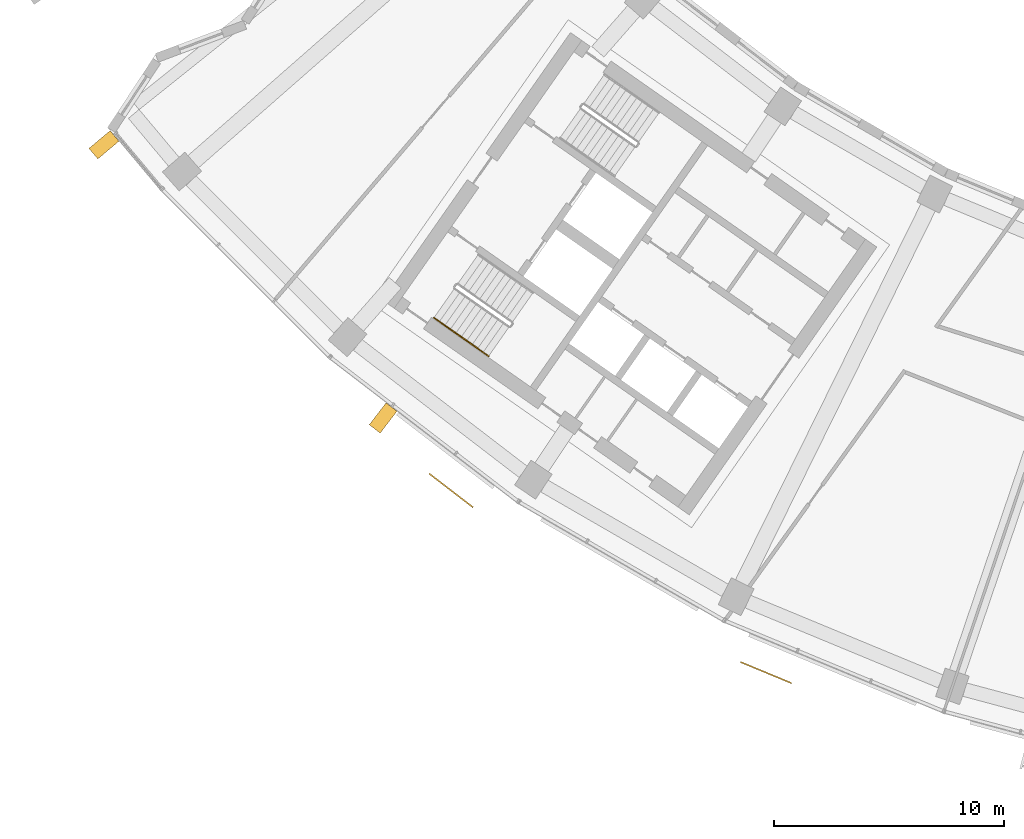
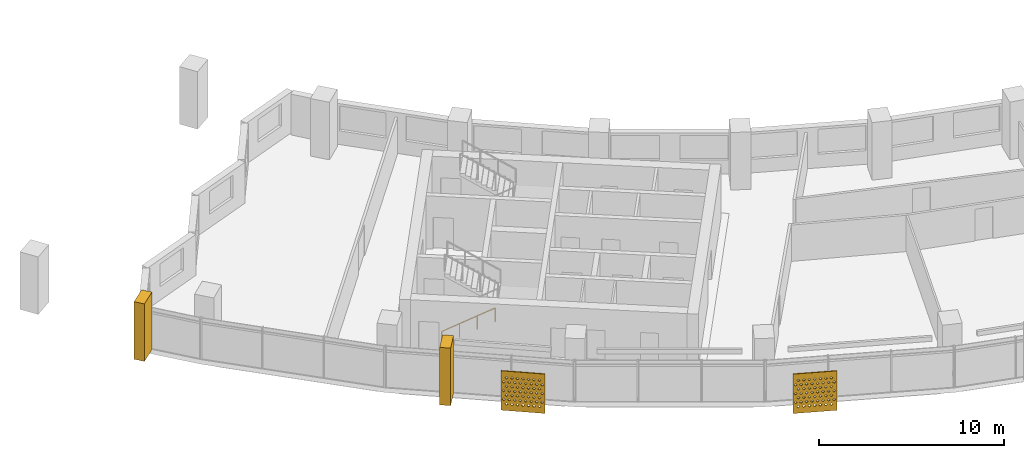
# One storey, part 21 of 27: 4 shading devices, 1 railing.
"""IFC4 building model written with IfcOpenShell, lengths in metres."""

from ifc_helpers import new_model, si_unit, direction, frame, origin, origin_2d, place, context, subcontext, project, spatial, polyline, circle, outline, extrude, material, material_profile, profile_set, type_object, element, save


model = new_model("IFC4")

# Units and contexts
model_context = context("Model", 3, precision=1e-05, world=origin(), true_north=direction((0.0, 1.0)))
body_context = subcontext(model_context, "Body", "Model", "MODEL_VIEW")
ifc_project = project(units=[si_unit("LENGTHUNIT", "METRE"), si_unit("AREAUNIT", "SQUARE_METRE"), si_unit("VOLUMEUNIT", "CUBIC_METRE"), si_unit("PLANEANGLEUNIT", "RADIAN"), si_unit("MASSUNIT", "GRAM", prefix="KILO")], contexts=[model_context])

# Site, building, storey
site_placement = place(None, origin())
site = spatial("IfcSite", under=ifc_project, at=site_placement, CompositionType="ELEMENT")
building_placement = place(site_placement, origin())
building = spatial("IfcBuilding", under=site, at=building_placement, Name="Qamariyya Broadcast Tower", CompositionType="ELEMENT")
storey_placement = place(building_placement, frame((0.0, 0.0, 191.10009765625)))
storey = spatial("IfcBuildingStorey", under=building, at=storey_placement, Name="L45", CompositionType="ELEMENT", Elevation=191.10009765625)

# Shading devices
ifc_material_1 = material(Name="Steel S355 powder coated deep red", Category="steel")
shading_device_type_1 = type_object("IfcShadingDeviceType", Name="Deep red frame, powder coated steel box section", PredefinedType="USERDEFINED", material=ifc_material_1)
shading_device_1_placement = place(storey_placement, origin())
element("IfcShadingDevice", 1, at=shading_device_1_placement, inside=storey, type_object=shading_device_type_1, Name="e-frm-B3-F1-posta-L45", ObjectType="FRAME", PredefinedType="USERDEFINED", context=body_context, shape_type="SweptSolid", body=[
    extrude(outline(polyline([(-61.57958984375, -49.48681640625), (-62.498779296875, -50.25830078125), (-62.11279296875, -50.718017578125), (-61.19384765625, -49.9462890625), (-61.57958984375, -49.48681640625)])), origin(), (0.0, 0.0, 1.0), 3.7998046875),
])
shading_device_2_placement = place(storey_placement, origin())
element("IfcShadingDevice", 2, at=shading_device_2_placement, inside=storey, type_object=shading_device_type_1, Name="e-frm-B3-F1-postb-L45", ObjectType="FRAME", PredefinedType="USERDEFINED", context=body_context, shape_type="SweptSolid", body=[
    extrude(outline(polyline([(-49.593505859375, -61.3095703125), (-50.323974609375, -62.26171875), (-49.84814453125, -62.626953125), (-49.11767578125, -61.6748046875), (-49.593505859375, -61.3095703125)])), origin(), (0.0, 0.0, 1.0), 3.7998046875),
])
ifc_material_2 = material(Name="Perforated glazed terracotta", Category="masonry")
ifc_material_profile = material_profile(ifc_material_2, outline(polyline([(-1.199951171875, -1.300048828125), (1.199951171875, -1.300048828125), (1.199951171875, 1.300048828125), (-1.199951171875, 1.300048828125), (-1.199951171875, -1.300048828125)]), holes=[polyline([(-0.81494140625, -0.86669921875), (-0.89990234375, -0.78173828125), (-0.985107421875, -0.86669921875), (-0.89990234375, -0.95166015625), (-0.81494140625, -0.86669921875)]), polyline([(-0.514892578125, -0.86669921875), (-0.60009765625, -0.78173828125), (-0.68505859375, -0.86669921875), (-0.60009765625, -0.95166015625), (-0.514892578125, -0.86669921875)]), polyline([(-0.215087890625, -0.86669921875), (-0.300048828125, -0.78173828125), (-0.385009765625, -0.86669921875), (-0.300048828125, -0.95166015625), (-0.215087890625, -0.86669921875)]), polyline([(0.0849609375, -0.86669921875), (0.0, -0.78173828125), (-0.0849609375, -0.86669921875), (0.0, -0.95166015625), (0.0849609375, -0.86669921875)]), polyline([(0.385009765625, -0.86669921875), (0.300048828125, -0.78173828125), (0.215087890625, -0.86669921875), (0.300048828125, -0.95166015625), (0.385009765625, -0.86669921875)]), polyline([(0.68505859375, -0.86669921875), (0.60009765625, -0.78173828125), (0.514892578125, -0.86669921875), (0.60009765625, -0.95166015625), (0.68505859375, -0.86669921875)]), polyline([(0.985107421875, -0.86669921875), (0.89990234375, -0.78173828125), (0.81494140625, -0.86669921875), (0.89990234375, -0.95166015625), (0.985107421875, -0.86669921875)]), polyline([(-0.965087890625, -0.577880859375), (-1.050048828125, -0.49267578125), (-1.135009765625, -0.577880859375), (-1.050048828125, -0.662841796875), (-0.965087890625, -0.577880859375)]), polyline([(-0.6650390625, -0.577880859375), (-0.75, -0.49267578125), (-0.8349609375, -0.577880859375), (-0.75, -0.662841796875), (-0.6650390625, -0.577880859375)]), polyline([(-0.364990234375, -0.577880859375), (-0.449951171875, -0.49267578125), (-0.534912109375, -0.577880859375), (-0.449951171875, -0.662841796875), (-0.364990234375, -0.577880859375)]), polyline([(-0.06494140625, -0.577880859375), (-0.14990234375, -0.49267578125), (-0.235107421875, -0.577880859375), (-0.14990234375, -0.662841796875), (-0.06494140625, -0.577880859375)]), polyline([(0.235107421875, -0.577880859375), (0.14990234375, -0.49267578125), (0.06494140625, -0.577880859375), (0.14990234375, -0.662841796875), (0.235107421875, -0.577880859375)]), polyline([(0.534912109375, -0.577880859375), (0.449951171875, -0.49267578125), (0.364990234375, -0.577880859375), (0.449951171875, -0.662841796875), (0.534912109375, -0.577880859375)]), polyline([(0.8349609375, -0.577880859375), (0.75, -0.49267578125), (0.6650390625, -0.577880859375), (0.75, -0.662841796875), (0.8349609375, -0.577880859375)]), polyline([(1.135009765625, -0.577880859375), (1.050048828125, -0.49267578125), (0.965087890625, -0.577880859375), (1.050048828125, -0.662841796875), (1.135009765625, -0.577880859375)]), polyline([(-0.81494140625, -0.288818359375), (-0.89990234375, -0.203857421875), (-0.985107421875, -0.288818359375), (-0.89990234375, -0.373779296875), (-0.81494140625, -0.288818359375)]), polyline([(-0.514892578125, -0.288818359375), (-0.60009765625, -0.203857421875), (-0.68505859375, -0.288818359375), (-0.60009765625, -0.373779296875), (-0.514892578125, -0.288818359375)]), polyline([(-0.215087890625, -0.288818359375), (-0.300048828125, -0.203857421875), (-0.385009765625, -0.288818359375), (-0.300048828125, -0.373779296875), (-0.215087890625, -0.288818359375)]), polyline([(0.0849609375, -0.288818359375), (0.0, -0.203857421875), (-0.0849609375, -0.288818359375), (0.0, -0.373779296875), (0.0849609375, -0.288818359375)]), polyline([(0.385009765625, -0.288818359375), (0.300048828125, -0.203857421875), (0.215087890625, -0.288818359375), (0.300048828125, -0.373779296875), (0.385009765625, -0.288818359375)]), polyline([(0.68505859375, -0.288818359375), (0.60009765625, -0.203857421875), (0.514892578125, -0.288818359375), (0.60009765625, -0.373779296875), (0.68505859375, -0.288818359375)]), polyline([(0.985107421875, -0.288818359375), (0.89990234375, -0.203857421875), (0.81494140625, -0.288818359375), (0.89990234375, -0.373779296875), (0.985107421875, -0.288818359375)]), polyline([(-0.965087890625, 0.0), (-1.050048828125, 0.0849609375), (-1.135009765625, 0.0), (-1.050048828125, -0.0849609375), (-0.965087890625, 0.0)]), polyline([(-0.6650390625, 0.0), (-0.75, 0.0849609375), (-0.8349609375, 0.0), (-0.75, -0.0849609375), (-0.6650390625, 0.0)]), polyline([(-0.364990234375, 0.0), (-0.449951171875, 0.0849609375), (-0.534912109375, 0.0), (-0.449951171875, -0.0849609375), (-0.364990234375, 0.0)]), polyline([(-0.06494140625, 0.0), (-0.14990234375, 0.0849609375), (-0.235107421875, 0.0), (-0.14990234375, -0.0849609375), (-0.06494140625, 0.0)]), polyline([(0.235107421875, 0.0), (0.14990234375, 0.0849609375), (0.06494140625, 0.0), (0.14990234375, -0.0849609375), (0.235107421875, 0.0)]), polyline([(0.534912109375, 0.0), (0.449951171875, 0.0849609375), (0.364990234375, 0.0), (0.449951171875, -0.0849609375), (0.534912109375, 0.0)]), polyline([(0.8349609375, 0.0), (0.75, 0.0849609375), (0.6650390625, 0.0), (0.75, -0.0849609375), (0.8349609375, 0.0)]), polyline([(1.135009765625, 0.0), (1.050048828125, 0.0849609375), (0.965087890625, 0.0), (1.050048828125, -0.0849609375), (1.135009765625, 0.0)]), polyline([(-0.81494140625, 0.288818359375), (-0.89990234375, 0.373779296875), (-0.985107421875, 0.288818359375), (-0.89990234375, 0.203857421875), (-0.81494140625, 0.288818359375)]), polyline([(-0.514892578125, 0.288818359375), (-0.60009765625, 0.373779296875), (-0.68505859375, 0.288818359375), (-0.60009765625, 0.203857421875), (-0.514892578125, 0.288818359375)]), polyline([(-0.215087890625, 0.288818359375), (-0.300048828125, 0.373779296875), (-0.385009765625, 0.288818359375), (-0.300048828125, 0.203857421875), (-0.215087890625, 0.288818359375)]), polyline([(0.0849609375, 0.288818359375), (0.0, 0.373779296875), (-0.0849609375, 0.288818359375), (0.0, 0.203857421875), (0.0849609375, 0.288818359375)]), polyline([(0.385009765625, 0.288818359375), (0.300048828125, 0.373779296875), (0.215087890625, 0.288818359375), (0.300048828125, 0.203857421875), (0.385009765625, 0.288818359375)]), polyline([(0.68505859375, 0.288818359375), (0.60009765625, 0.373779296875), (0.514892578125, 0.288818359375), (0.60009765625, 0.203857421875), (0.68505859375, 0.288818359375)]), polyline([(0.985107421875, 0.288818359375), (0.89990234375, 0.373779296875), (0.81494140625, 0.288818359375), (0.89990234375, 0.203857421875), (0.985107421875, 0.288818359375)]), polyline([(-0.965087890625, 0.577880859375), (-1.050048828125, 0.662841796875), (-1.135009765625, 0.577880859375), (-1.050048828125, 0.49267578125), (-0.965087890625, 0.577880859375)]), polyline([(-0.6650390625, 0.577880859375), (-0.75, 0.662841796875), (-0.8349609375, 0.577880859375), (-0.75, 0.49267578125), (-0.6650390625, 0.577880859375)]), polyline([(-0.364990234375, 0.577880859375), (-0.449951171875, 0.662841796875), (-0.534912109375, 0.577880859375), (-0.449951171875, 0.49267578125), (-0.364990234375, 0.577880859375)]), polyline([(-0.06494140625, 0.577880859375), (-0.14990234375, 0.662841796875), (-0.235107421875, 0.577880859375), (-0.14990234375, 0.49267578125), (-0.06494140625, 0.577880859375)]), polyline([(0.235107421875, 0.577880859375), (0.14990234375, 0.662841796875), (0.06494140625, 0.577880859375), (0.14990234375, 0.49267578125), (0.235107421875, 0.577880859375)]), polyline([(0.534912109375, 0.577880859375), (0.449951171875, 0.662841796875), (0.364990234375, 0.577880859375), (0.449951171875, 0.49267578125), (0.534912109375, 0.577880859375)]), polyline([(0.8349609375, 0.577880859375), (0.75, 0.662841796875), (0.6650390625, 0.577880859375), (0.75, 0.49267578125), (0.8349609375, 0.577880859375)]), polyline([(1.135009765625, 0.577880859375), (1.050048828125, 0.662841796875), (0.965087890625, 0.577880859375), (1.050048828125, 0.49267578125), (1.135009765625, 0.577880859375)]), polyline([(-0.81494140625, 0.86669921875), (-0.89990234375, 0.95166015625), (-0.985107421875, 0.86669921875), (-0.89990234375, 0.78173828125), (-0.81494140625, 0.86669921875)]), polyline([(-0.514892578125, 0.86669921875), (-0.60009765625, 0.95166015625), (-0.68505859375, 0.86669921875), (-0.60009765625, 0.78173828125), (-0.514892578125, 0.86669921875)]), polyline([(-0.215087890625, 0.86669921875), (-0.300048828125, 0.95166015625), (-0.385009765625, 0.86669921875), (-0.300048828125, 0.78173828125), (-0.215087890625, 0.86669921875)]), polyline([(0.0849609375, 0.86669921875), (0.0, 0.95166015625), (-0.0849609375, 0.86669921875), (0.0, 0.78173828125), (0.0849609375, 0.86669921875)]), polyline([(0.385009765625, 0.86669921875), (0.300048828125, 0.95166015625), (0.215087890625, 0.86669921875), (0.300048828125, 0.78173828125), (0.385009765625, 0.86669921875)]), polyline([(0.68505859375, 0.86669921875), (0.60009765625, 0.95166015625), (0.514892578125, 0.86669921875), (0.60009765625, 0.78173828125), (0.68505859375, 0.86669921875)]), polyline([(0.985107421875, 0.86669921875), (0.89990234375, 0.95166015625), (0.81494140625, 0.86669921875), (0.89990234375, 0.78173828125), (0.985107421875, 0.86669921875)])]))
ifc_profile_set = profile_set([ifc_material_profile], Name="Perforated glazed terracotta")
shading_device_type_2 = type_object("IfcShadingDeviceType", Name="Perforated terracotta screen 2400 x 2600", PredefinedType="USERDEFINED", material=ifc_profile_set)
shading_device_3_placement = place(storey_placement, frame((-46.745849609375, -65.095458984375, 1.349853515625), z_axis=(-0.60971076085, -0.792623989105, 0.0), x_axis=(0.792623989105, -0.60971076085, 0.0)))
element("IfcShadingDevice", 3, at=shading_device_3_placement, inside=storey, type_object=shading_device_type_2, Name="e-scr-L45-02-2", ObjectType="SCREEN", PredefinedType="USERDEFINED", context=body_context, shape_type="SweptSolid", body=[
    extrude(outline(polyline([(-1.199951171875, -1.300048828125), (1.199951171875, -1.300048828125), (1.199951171875, 1.300048828125), (-1.199951171875, 1.300048828125), (-1.199951171875, -1.300048828125)]), holes=[polyline([(-0.81494140625, -0.86669921875), (-0.89990234375, -0.78173828125), (-0.985107421875, -0.86669921875), (-0.89990234375, -0.95166015625), (-0.81494140625, -0.86669921875)]), polyline([(-0.514892578125, -0.86669921875), (-0.60009765625, -0.78173828125), (-0.68505859375, -0.86669921875), (-0.60009765625, -0.95166015625), (-0.514892578125, -0.86669921875)]), polyline([(-0.215087890625, -0.86669921875), (-0.300048828125, -0.78173828125), (-0.385009765625, -0.86669921875), (-0.300048828125, -0.95166015625), (-0.215087890625, -0.86669921875)]), polyline([(0.0849609375, -0.86669921875), (0.0, -0.78173828125), (-0.0849609375, -0.86669921875), (0.0, -0.95166015625), (0.0849609375, -0.86669921875)]), polyline([(0.385009765625, -0.86669921875), (0.300048828125, -0.78173828125), (0.215087890625, -0.86669921875), (0.300048828125, -0.95166015625), (0.385009765625, -0.86669921875)]), polyline([(0.68505859375, -0.86669921875), (0.60009765625, -0.78173828125), (0.514892578125, -0.86669921875), (0.60009765625, -0.95166015625), (0.68505859375, -0.86669921875)]), polyline([(0.985107421875, -0.86669921875), (0.89990234375, -0.78173828125), (0.81494140625, -0.86669921875), (0.89990234375, -0.95166015625), (0.985107421875, -0.86669921875)]), polyline([(-0.965087890625, -0.577880859375), (-1.050048828125, -0.49267578125), (-1.135009765625, -0.577880859375), (-1.050048828125, -0.662841796875), (-0.965087890625, -0.577880859375)]), polyline([(-0.6650390625, -0.577880859375), (-0.75, -0.49267578125), (-0.8349609375, -0.577880859375), (-0.75, -0.662841796875), (-0.6650390625, -0.577880859375)]), polyline([(-0.364990234375, -0.577880859375), (-0.449951171875, -0.49267578125), (-0.534912109375, -0.577880859375), (-0.449951171875, -0.662841796875), (-0.364990234375, -0.577880859375)]), polyline([(-0.06494140625, -0.577880859375), (-0.14990234375, -0.49267578125), (-0.235107421875, -0.577880859375), (-0.14990234375, -0.662841796875), (-0.06494140625, -0.577880859375)]), polyline([(0.235107421875, -0.577880859375), (0.14990234375, -0.49267578125), (0.06494140625, -0.577880859375), (0.14990234375, -0.662841796875), (0.235107421875, -0.577880859375)]), polyline([(0.534912109375, -0.577880859375), (0.449951171875, -0.49267578125), (0.364990234375, -0.577880859375), (0.449951171875, -0.662841796875), (0.534912109375, -0.577880859375)]), polyline([(0.8349609375, -0.577880859375), (0.75, -0.49267578125), (0.6650390625, -0.577880859375), (0.75, -0.662841796875), (0.8349609375, -0.577880859375)]), polyline([(1.135009765625, -0.577880859375), (1.050048828125, -0.49267578125), (0.965087890625, -0.577880859375), (1.050048828125, -0.662841796875), (1.135009765625, -0.577880859375)]), polyline([(-0.81494140625, -0.288818359375), (-0.89990234375, -0.203857421875), (-0.985107421875, -0.288818359375), (-0.89990234375, -0.373779296875), (-0.81494140625, -0.288818359375)]), polyline([(-0.514892578125, -0.288818359375), (-0.60009765625, -0.203857421875), (-0.68505859375, -0.288818359375), (-0.60009765625, -0.373779296875), (-0.514892578125, -0.288818359375)]), polyline([(-0.215087890625, -0.288818359375), (-0.300048828125, -0.203857421875), (-0.385009765625, -0.288818359375), (-0.300048828125, -0.373779296875), (-0.215087890625, -0.288818359375)]), polyline([(0.0849609375, -0.288818359375), (0.0, -0.203857421875), (-0.0849609375, -0.288818359375), (0.0, -0.373779296875), (0.0849609375, -0.288818359375)]), polyline([(0.385009765625, -0.288818359375), (0.300048828125, -0.203857421875), (0.215087890625, -0.288818359375), (0.300048828125, -0.373779296875), (0.385009765625, -0.288818359375)]), polyline([(0.68505859375, -0.288818359375), (0.60009765625, -0.203857421875), (0.514892578125, -0.288818359375), (0.60009765625, -0.373779296875), (0.68505859375, -0.288818359375)]), polyline([(0.985107421875, -0.288818359375), (0.89990234375, -0.203857421875), (0.81494140625, -0.288818359375), (0.89990234375, -0.373779296875), (0.985107421875, -0.288818359375)]), polyline([(-0.965087890625, 0.0), (-1.050048828125, 0.0849609375), (-1.135009765625, 0.0), (-1.050048828125, -0.0849609375), (-0.965087890625, 0.0)]), polyline([(-0.6650390625, 0.0), (-0.75, 0.0849609375), (-0.8349609375, 0.0), (-0.75, -0.0849609375), (-0.6650390625, 0.0)]), polyline([(-0.364990234375, 0.0), (-0.449951171875, 0.0849609375), (-0.534912109375, 0.0), (-0.449951171875, -0.0849609375), (-0.364990234375, 0.0)]), polyline([(-0.06494140625, 0.0), (-0.14990234375, 0.0849609375), (-0.235107421875, 0.0), (-0.14990234375, -0.0849609375), (-0.06494140625, 0.0)]), polyline([(0.235107421875, 0.0), (0.14990234375, 0.0849609375), (0.06494140625, 0.0), (0.14990234375, -0.0849609375), (0.235107421875, 0.0)]), polyline([(0.534912109375, 0.0), (0.449951171875, 0.0849609375), (0.364990234375, 0.0), (0.449951171875, -0.0849609375), (0.534912109375, 0.0)]), polyline([(0.8349609375, 0.0), (0.75, 0.0849609375), (0.6650390625, 0.0), (0.75, -0.0849609375), (0.8349609375, 0.0)]), polyline([(1.135009765625, 0.0), (1.050048828125, 0.0849609375), (0.965087890625, 0.0), (1.050048828125, -0.0849609375), (1.135009765625, 0.0)]), polyline([(-0.81494140625, 0.288818359375), (-0.89990234375, 0.373779296875), (-0.985107421875, 0.288818359375), (-0.89990234375, 0.203857421875), (-0.81494140625, 0.288818359375)]), polyline([(-0.514892578125, 0.288818359375), (-0.60009765625, 0.373779296875), (-0.68505859375, 0.288818359375), (-0.60009765625, 0.203857421875), (-0.514892578125, 0.288818359375)]), polyline([(-0.215087890625, 0.288818359375), (-0.300048828125, 0.373779296875), (-0.385009765625, 0.288818359375), (-0.300048828125, 0.203857421875), (-0.215087890625, 0.288818359375)]), polyline([(0.0849609375, 0.288818359375), (0.0, 0.373779296875), (-0.0849609375, 0.288818359375), (0.0, 0.203857421875), (0.0849609375, 0.288818359375)]), polyline([(0.385009765625, 0.288818359375), (0.300048828125, 0.373779296875), (0.215087890625, 0.288818359375), (0.300048828125, 0.203857421875), (0.385009765625, 0.288818359375)]), polyline([(0.68505859375, 0.288818359375), (0.60009765625, 0.373779296875), (0.514892578125, 0.288818359375), (0.60009765625, 0.203857421875), (0.68505859375, 0.288818359375)]), polyline([(0.985107421875, 0.288818359375), (0.89990234375, 0.373779296875), (0.81494140625, 0.288818359375), (0.89990234375, 0.203857421875), (0.985107421875, 0.288818359375)]), polyline([(-0.965087890625, 0.577880859375), (-1.050048828125, 0.662841796875), (-1.135009765625, 0.577880859375), (-1.050048828125, 0.49267578125), (-0.965087890625, 0.577880859375)]), polyline([(-0.6650390625, 0.577880859375), (-0.75, 0.662841796875), (-0.8349609375, 0.577880859375), (-0.75, 0.49267578125), (-0.6650390625, 0.577880859375)]), polyline([(-0.364990234375, 0.577880859375), (-0.449951171875, 0.662841796875), (-0.534912109375, 0.577880859375), (-0.449951171875, 0.49267578125), (-0.364990234375, 0.577880859375)]), polyline([(-0.06494140625, 0.577880859375), (-0.14990234375, 0.662841796875), (-0.235107421875, 0.577880859375), (-0.14990234375, 0.49267578125), (-0.06494140625, 0.577880859375)]), polyline([(0.235107421875, 0.577880859375), (0.14990234375, 0.662841796875), (0.06494140625, 0.577880859375), (0.14990234375, 0.49267578125), (0.235107421875, 0.577880859375)]), polyline([(0.534912109375, 0.577880859375), (0.449951171875, 0.662841796875), (0.364990234375, 0.577880859375), (0.449951171875, 0.49267578125), (0.534912109375, 0.577880859375)]), polyline([(0.8349609375, 0.577880859375), (0.75, 0.662841796875), (0.6650390625, 0.577880859375), (0.75, 0.49267578125), (0.8349609375, 0.577880859375)]), polyline([(1.135009765625, 0.577880859375), (1.050048828125, 0.662841796875), (0.965087890625, 0.577880859375), (1.050048828125, 0.49267578125), (1.135009765625, 0.577880859375)]), polyline([(-0.81494140625, 0.86669921875), (-0.89990234375, 0.95166015625), (-0.985107421875, 0.86669921875), (-0.89990234375, 0.78173828125), (-0.81494140625, 0.86669921875)]), polyline([(-0.514892578125, 0.86669921875), (-0.60009765625, 0.95166015625), (-0.68505859375, 0.86669921875), (-0.60009765625, 0.78173828125), (-0.514892578125, 0.86669921875)]), polyline([(-0.215087890625, 0.86669921875), (-0.300048828125, 0.95166015625), (-0.385009765625, 0.86669921875), (-0.300048828125, 0.78173828125), (-0.215087890625, 0.86669921875)]), polyline([(0.0849609375, 0.86669921875), (0.0, 0.95166015625), (-0.0849609375, 0.86669921875), (0.0, 0.78173828125), (0.0849609375, 0.86669921875)]), polyline([(0.385009765625, 0.86669921875), (0.300048828125, 0.95166015625), (0.215087890625, 0.86669921875), (0.300048828125, 0.78173828125), (0.385009765625, 0.86669921875)]), polyline([(0.68505859375, 0.86669921875), (0.60009765625, 0.95166015625), (0.514892578125, 0.86669921875), (0.60009765625, 0.78173828125), (0.68505859375, 0.86669921875)]), polyline([(0.985107421875, 0.86669921875), (0.89990234375, 0.95166015625), (0.81494140625, 0.86669921875), (0.89990234375, 0.78173828125), (0.985107421875, 0.86669921875)])]), origin(), (0.0, 0.0, 1.0), 0.06005859375),
])
shading_device_4_placement = place(storey_placement, frame((-33.07861328125, -72.9990234375, 1.349853515625), z_axis=(-0.382591441855, -0.923917630863, 0.0), x_axis=(0.923917630863, -0.382591441855, 0.0)))
element("IfcShadingDevice", 4, at=shading_device_4_placement, inside=storey, type_object=shading_device_type_2, Name="e-scr-L45-04-0", ObjectType="SCREEN", PredefinedType="USERDEFINED", context=body_context, shape_type="SweptSolid", body=[
    extrude(outline(polyline([(-1.199951171875, -1.300048828125), (1.199951171875, -1.300048828125), (1.199951171875, 1.300048828125), (-1.199951171875, 1.300048828125), (-1.199951171875, -1.300048828125)]), holes=[polyline([(-0.81494140625, -0.86669921875), (-0.89990234375, -0.78173828125), (-0.985107421875, -0.86669921875), (-0.89990234375, -0.95166015625), (-0.81494140625, -0.86669921875)]), polyline([(-0.514892578125, -0.86669921875), (-0.60009765625, -0.78173828125), (-0.68505859375, -0.86669921875), (-0.60009765625, -0.95166015625), (-0.514892578125, -0.86669921875)]), polyline([(-0.215087890625, -0.86669921875), (-0.300048828125, -0.78173828125), (-0.385009765625, -0.86669921875), (-0.300048828125, -0.95166015625), (-0.215087890625, -0.86669921875)]), polyline([(0.0849609375, -0.86669921875), (0.0, -0.78173828125), (-0.0849609375, -0.86669921875), (0.0, -0.95166015625), (0.0849609375, -0.86669921875)]), polyline([(0.385009765625, -0.86669921875), (0.300048828125, -0.78173828125), (0.215087890625, -0.86669921875), (0.300048828125, -0.95166015625), (0.385009765625, -0.86669921875)]), polyline([(0.68505859375, -0.86669921875), (0.60009765625, -0.78173828125), (0.514892578125, -0.86669921875), (0.60009765625, -0.95166015625), (0.68505859375, -0.86669921875)]), polyline([(0.985107421875, -0.86669921875), (0.89990234375, -0.78173828125), (0.81494140625, -0.86669921875), (0.89990234375, -0.95166015625), (0.985107421875, -0.86669921875)]), polyline([(-0.965087890625, -0.577880859375), (-1.050048828125, -0.49267578125), (-1.135009765625, -0.577880859375), (-1.050048828125, -0.662841796875), (-0.965087890625, -0.577880859375)]), polyline([(-0.6650390625, -0.577880859375), (-0.75, -0.49267578125), (-0.8349609375, -0.577880859375), (-0.75, -0.662841796875), (-0.6650390625, -0.577880859375)]), polyline([(-0.364990234375, -0.577880859375), (-0.449951171875, -0.49267578125), (-0.534912109375, -0.577880859375), (-0.449951171875, -0.662841796875), (-0.364990234375, -0.577880859375)]), polyline([(-0.06494140625, -0.577880859375), (-0.14990234375, -0.49267578125), (-0.235107421875, -0.577880859375), (-0.14990234375, -0.662841796875), (-0.06494140625, -0.577880859375)]), polyline([(0.235107421875, -0.577880859375), (0.14990234375, -0.49267578125), (0.06494140625, -0.577880859375), (0.14990234375, -0.662841796875), (0.235107421875, -0.577880859375)]), polyline([(0.534912109375, -0.577880859375), (0.449951171875, -0.49267578125), (0.364990234375, -0.577880859375), (0.449951171875, -0.662841796875), (0.534912109375, -0.577880859375)]), polyline([(0.8349609375, -0.577880859375), (0.75, -0.49267578125), (0.6650390625, -0.577880859375), (0.75, -0.662841796875), (0.8349609375, -0.577880859375)]), polyline([(1.135009765625, -0.577880859375), (1.050048828125, -0.49267578125), (0.965087890625, -0.577880859375), (1.050048828125, -0.662841796875), (1.135009765625, -0.577880859375)]), polyline([(-0.81494140625, -0.288818359375), (-0.89990234375, -0.203857421875), (-0.985107421875, -0.288818359375), (-0.89990234375, -0.373779296875), (-0.81494140625, -0.288818359375)]), polyline([(-0.514892578125, -0.288818359375), (-0.60009765625, -0.203857421875), (-0.68505859375, -0.288818359375), (-0.60009765625, -0.373779296875), (-0.514892578125, -0.288818359375)]), polyline([(-0.215087890625, -0.288818359375), (-0.300048828125, -0.203857421875), (-0.385009765625, -0.288818359375), (-0.300048828125, -0.373779296875), (-0.215087890625, -0.288818359375)]), polyline([(0.0849609375, -0.288818359375), (0.0, -0.203857421875), (-0.0849609375, -0.288818359375), (0.0, -0.373779296875), (0.0849609375, -0.288818359375)]), polyline([(0.385009765625, -0.288818359375), (0.300048828125, -0.203857421875), (0.215087890625, -0.288818359375), (0.300048828125, -0.373779296875), (0.385009765625, -0.288818359375)]), polyline([(0.68505859375, -0.288818359375), (0.60009765625, -0.203857421875), (0.514892578125, -0.288818359375), (0.60009765625, -0.373779296875), (0.68505859375, -0.288818359375)]), polyline([(0.985107421875, -0.288818359375), (0.89990234375, -0.203857421875), (0.81494140625, -0.288818359375), (0.89990234375, -0.373779296875), (0.985107421875, -0.288818359375)]), polyline([(-0.965087890625, 0.0), (-1.050048828125, 0.0849609375), (-1.135009765625, 0.0), (-1.050048828125, -0.0849609375), (-0.965087890625, 0.0)]), polyline([(-0.6650390625, 0.0), (-0.75, 0.0849609375), (-0.8349609375, 0.0), (-0.75, -0.0849609375), (-0.6650390625, 0.0)]), polyline([(-0.364990234375, 0.0), (-0.449951171875, 0.0849609375), (-0.534912109375, 0.0), (-0.449951171875, -0.0849609375), (-0.364990234375, 0.0)]), polyline([(-0.06494140625, 0.0), (-0.14990234375, 0.0849609375), (-0.235107421875, 0.0), (-0.14990234375, -0.0849609375), (-0.06494140625, 0.0)]), polyline([(0.235107421875, 0.0), (0.14990234375, 0.0849609375), (0.06494140625, 0.0), (0.14990234375, -0.0849609375), (0.235107421875, 0.0)]), polyline([(0.534912109375, 0.0), (0.449951171875, 0.0849609375), (0.364990234375, 0.0), (0.449951171875, -0.0849609375), (0.534912109375, 0.0)]), polyline([(0.8349609375, 0.0), (0.75, 0.0849609375), (0.6650390625, 0.0), (0.75, -0.0849609375), (0.8349609375, 0.0)]), polyline([(1.135009765625, 0.0), (1.050048828125, 0.0849609375), (0.965087890625, 0.0), (1.050048828125, -0.0849609375), (1.135009765625, 0.0)]), polyline([(-0.81494140625, 0.288818359375), (-0.89990234375, 0.373779296875), (-0.985107421875, 0.288818359375), (-0.89990234375, 0.203857421875), (-0.81494140625, 0.288818359375)]), polyline([(-0.514892578125, 0.288818359375), (-0.60009765625, 0.373779296875), (-0.68505859375, 0.288818359375), (-0.60009765625, 0.203857421875), (-0.514892578125, 0.288818359375)]), polyline([(-0.215087890625, 0.288818359375), (-0.300048828125, 0.373779296875), (-0.385009765625, 0.288818359375), (-0.300048828125, 0.203857421875), (-0.215087890625, 0.288818359375)]), polyline([(0.0849609375, 0.288818359375), (0.0, 0.373779296875), (-0.0849609375, 0.288818359375), (0.0, 0.203857421875), (0.0849609375, 0.288818359375)]), polyline([(0.385009765625, 0.288818359375), (0.300048828125, 0.373779296875), (0.215087890625, 0.288818359375), (0.300048828125, 0.203857421875), (0.385009765625, 0.288818359375)]), polyline([(0.68505859375, 0.288818359375), (0.60009765625, 0.373779296875), (0.514892578125, 0.288818359375), (0.60009765625, 0.203857421875), (0.68505859375, 0.288818359375)]), polyline([(0.985107421875, 0.288818359375), (0.89990234375, 0.373779296875), (0.81494140625, 0.288818359375), (0.89990234375, 0.203857421875), (0.985107421875, 0.288818359375)]), polyline([(-0.965087890625, 0.577880859375), (-1.050048828125, 0.662841796875), (-1.135009765625, 0.577880859375), (-1.050048828125, 0.49267578125), (-0.965087890625, 0.577880859375)]), polyline([(-0.6650390625, 0.577880859375), (-0.75, 0.662841796875), (-0.8349609375, 0.577880859375), (-0.75, 0.49267578125), (-0.6650390625, 0.577880859375)]), polyline([(-0.364990234375, 0.577880859375), (-0.449951171875, 0.662841796875), (-0.534912109375, 0.577880859375), (-0.449951171875, 0.49267578125), (-0.364990234375, 0.577880859375)]), polyline([(-0.06494140625, 0.577880859375), (-0.14990234375, 0.662841796875), (-0.235107421875, 0.577880859375), (-0.14990234375, 0.49267578125), (-0.06494140625, 0.577880859375)]), polyline([(0.235107421875, 0.577880859375), (0.14990234375, 0.662841796875), (0.06494140625, 0.577880859375), (0.14990234375, 0.49267578125), (0.235107421875, 0.577880859375)]), polyline([(0.534912109375, 0.577880859375), (0.449951171875, 0.662841796875), (0.364990234375, 0.577880859375), (0.449951171875, 0.49267578125), (0.534912109375, 0.577880859375)]), polyline([(0.8349609375, 0.577880859375), (0.75, 0.662841796875), (0.6650390625, 0.577880859375), (0.75, 0.49267578125), (0.8349609375, 0.577880859375)]), polyline([(1.135009765625, 0.577880859375), (1.050048828125, 0.662841796875), (0.965087890625, 0.577880859375), (1.050048828125, 0.49267578125), (1.135009765625, 0.577880859375)]), polyline([(-0.81494140625, 0.86669921875), (-0.89990234375, 0.95166015625), (-0.985107421875, 0.86669921875), (-0.89990234375, 0.78173828125), (-0.81494140625, 0.86669921875)]), polyline([(-0.514892578125, 0.86669921875), (-0.60009765625, 0.95166015625), (-0.68505859375, 0.86669921875), (-0.60009765625, 0.78173828125), (-0.514892578125, 0.86669921875)]), polyline([(-0.215087890625, 0.86669921875), (-0.300048828125, 0.95166015625), (-0.385009765625, 0.86669921875), (-0.300048828125, 0.78173828125), (-0.215087890625, 0.86669921875)]), polyline([(0.0849609375, 0.86669921875), (0.0, 0.95166015625), (-0.0849609375, 0.86669921875), (0.0, 0.78173828125), (0.0849609375, 0.86669921875)]), polyline([(0.385009765625, 0.86669921875), (0.300048828125, 0.95166015625), (0.215087890625, 0.86669921875), (0.300048828125, 0.78173828125), (0.385009765625, 0.86669921875)]), polyline([(0.68505859375, 0.86669921875), (0.60009765625, 0.95166015625), (0.514892578125, 0.86669921875), (0.60009765625, 0.78173828125), (0.68505859375, 0.86669921875)]), polyline([(0.985107421875, 0.86669921875), (0.89990234375, 0.95166015625), (0.81494140625, 0.86669921875), (0.89990234375, 0.78173828125), (0.985107421875, 0.86669921875)])]), origin(), (0.0, 0.0, 1.0), 0.06005859375),
])

# Railing
ifc_material_3 = material(Name="Stainless steel", Category="steel")
railing_type = type_object("IfcRailingType", Name="Stair handrail", PredefinedType="HANDRAIL", material=ifc_material_3)
railing_placement = place(storey_placement, frame((-47.513427734375, -57.617431640625, 0.172607421875)))
element("IfcRailing", 5, at=railing_placement, inside=storey, type_object=railing_type, Name="L45 ST-W1 stair handrail 1", PredefinedType="HANDRAIL", context=body_context, shape_type="SweptSolid", body=[
    extrude(circle(Radius=0.02392578125, at=origin_2d()), frame((0.0, 0.0, 0.8759765625), z_axis=(0.703770094002, -0.492783725636, 0.511734163933), x_axis=(0.573575343427, 0.819152809562, 0.0)), (0.0, 0.0, 1.0), 3.37548828125),
    extrude(circle(Radius=0.02099609375, at=origin_2d()), origin(), (0.0, 0.0, 1.0), 0.851806640625),
    extrude(circle(Radius=0.02099609375, at=origin_2d()), frame((0.791748046875, -0.554443359375, 0.57568359375)), (0.0, 0.0, 1.0), 0.851806640625),
    extrude(circle(Radius=0.02099609375, at=origin_2d()), frame((1.583740234375, -1.10888671875, 1.151611328125)), (0.0, 0.0, 1.0), 0.851806640625),
    extrude(circle(Radius=0.02099609375, at=origin_2d()), frame((2.37548828125, -1.663330078125, 1.727294921875)), (0.0, 0.0, 1.0), 0.851806640625),
])

save(model, "model.ifc")
